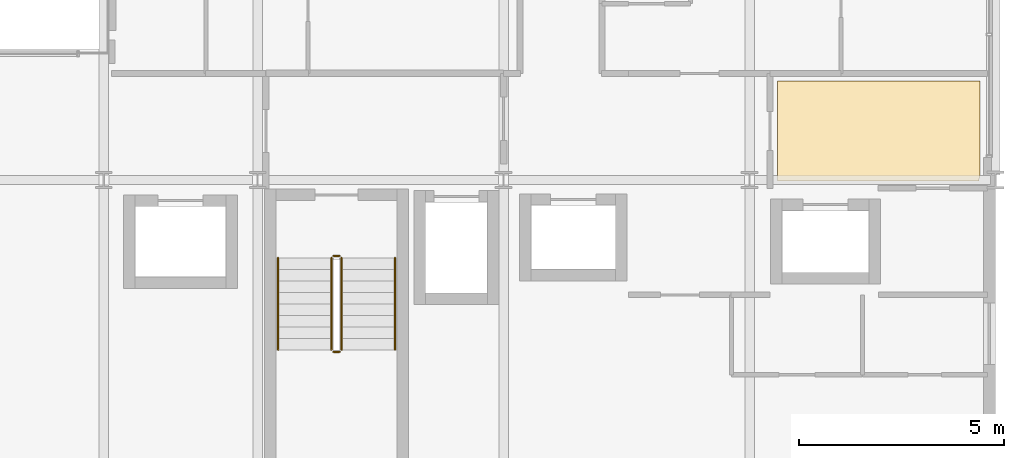
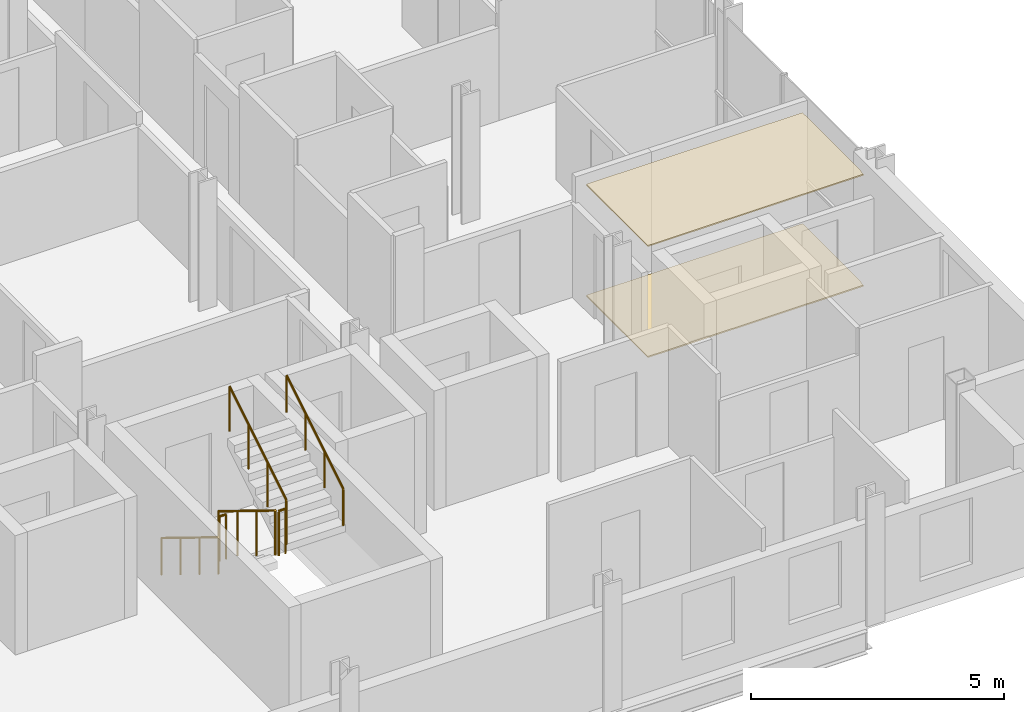
# One storey, part 40 of 41: 6 railings, 2 coverings.
"""IFC4 building model written with IfcOpenShell, lengths in metres."""

from ifc_helpers import new_model, si_unit, direction, frame, origin, origin_2d, place, context, subcontext, project, spatial, polyline, circle, outline, extrude, material, layer, layer_set, type_object, element, save


model = new_model("IFC4")

# Units and contexts
model_context = context("Model", 3, precision=1e-05, world=origin(), true_north=direction((0.0, 1.0)))
body_context = subcontext(model_context, "Body", "Model", "MODEL_VIEW")
ifc_project = project(units=[si_unit("LENGTHUNIT", "METRE"), si_unit("AREAUNIT", "SQUARE_METRE"), si_unit("VOLUMEUNIT", "CUBIC_METRE"), si_unit("PLANEANGLEUNIT", "RADIAN"), si_unit("MASSUNIT", "GRAM", prefix="KILO")], contexts=[model_context])

# Site, building, storey
site_placement = place(None, origin())
site = spatial("IfcSite", under=ifc_project, at=site_placement, CompositionType="ELEMENT")
building_placement = place(site_placement, origin())
building = spatial("IfcBuilding", under=site, at=building_placement, Name="Brevholm Reach", CompositionType="ELEMENT")
storey_placement = place(building_placement, frame((0.0, 0.0, 106.60009765625)))
storey = spatial("IfcBuildingStorey", under=building, at=storey_placement, Name="L31", CompositionType="ELEMENT", Elevation=106.60009765625)

# Coverings
ifc_material_1 = material(Name="Moisture-Resistant Skimmed Gypsum Plasterboard Ceiling", Category="gypsum")
ifc_layer_1 = layer(ifc_material_1, 0.030029296875)
ifc_layer_set_1 = layer_set([ifc_layer_1], Name="Moisture-Resistant Skimmed Gypsum Plasterboard Ceiling")
covering_type_1 = type_object("IfcCoveringType", Name="COV-CLG-GYP", PredefinedType="CEILING", material=ifc_layer_set_1)
covering_1_placement = place(storey_placement, frame((0.0, 0.0, 2.679931640625)))
element("IfcCovering", 1, at=covering_1_placement, inside=storey, type_object=covering_type_1, Name="L31 Suspended Ceiling L31-33", PredefinedType="CEILING", context=body_context, shape_type="SweptSolid", body=[
    extrude(outline(polyline([(59.6201171875, 12.419921875), (59.6201171875, 10.123779296875), (59.6171875, 10.1162109375), (59.607666015625, 10.077880859375), (59.601806640625, 10.039306640625), (59.60009765625, 10.0), (59.60107421875, 9.97998046875), (54.68408203125, 9.97998046875), (54.68408203125, 12.419921875), (59.6201171875, 12.419921875)])), origin(), (0.0, 0.0, 1.0), 0.030029296875),
])
ifc_material_2 = material(Name="Honed Portland-Aggregate Resin Terrazzo Flooring", Category="concrete")
ifc_layer_2 = layer(ifc_material_2, 0.031982421875)
ifc_layer_set_2 = layer_set([ifc_layer_2], Name="Honed Portland-Aggregate Resin Terrazzo Flooring")
covering_type_2 = type_object("IfcCoveringType", Name="COV-FLR-TRZ", PredefinedType="FLOORING", material=ifc_layer_set_2)
covering_2_placement = place(storey_placement, origin())
element("IfcCovering", 2, at=covering_2_placement, inside=storey, type_object=covering_type_2, Name="L31 Floor Finish L31-33", PredefinedType="FLOORING", context=body_context, shape_type="SweptSolid", body=[
    extrude(outline(polyline([(59.6201171875, 12.419921875), (59.6201171875, 10.123779296875), (59.6171875, 10.1162109375), (59.607666015625, 10.077880859375), (59.601806640625, 10.039306640625), (59.60009765625, 10.0), (59.60107421875, 9.97998046875), (54.68408203125, 9.97998046875), (54.68408203125, 12.419921875), (59.6201171875, 12.419921875)])), origin(), (0.0, 0.0, 1.0), 0.031982421875),
])

# Railings
ifc_material_3 = material(Name="Brushed Stainless Steel EN 1.4401 Continuous Handrail", Category="steel")
railing_type_1 = type_object("IfcRailingType", Name="RAL-HND-950", PredefinedType="HANDRAIL", material=ifc_material_3)
railing_1_placement = place(storey_placement, frame((42.5, 8.10009765625, 0.172119140625)))
element("IfcRailing", 3, at=railing_1_placement, inside=storey, type_object=railing_type_1, Name="L31 ST-2 stair handrail 1", PredefinedType="HANDRAIL", context=body_context, shape_type="SweptSolid", body=[
    extrude(circle(Radius=0.02392578125, at=origin_2d()), frame((0.0, 0.0, 0.8857421875), z_axis=(0.0, -0.85178898068, 0.523885037382), x_axis=(1.0, 0.0, 0.0)), (0.0, 0.0, 1.0), 2.629638671875),
    extrude(circle(Radius=0.02099609375, at=origin_2d()), origin(), (0.0, 0.0, 1.0), 0.86181640625),
    extrude(circle(Radius=0.02099609375, at=origin_2d()), frame((0.0, -0.74658203125, 0.459228515625)), (0.0, 0.0, 1.0), 0.86181640625),
    extrude(circle(Radius=0.02099609375, at=origin_2d()), frame((0.0, -1.493408203125, 0.91845703125)), (0.0, 0.0, 1.0), 0.86181640625),
    extrude(circle(Radius=0.02099609375, at=origin_2d()), frame((0.0, -2.239990234375, 1.377685546875)), (0.0, 0.0, 1.0), 0.86181640625),
])
railing_2_placement = place(storey_placement, frame((45.35009765625, 5.860107421875, 1.72216796875)))
element("IfcRailing", 4, at=railing_2_placement, inside=storey, type_object=railing_type_1, Name="L31 ST-2 stair handrail 2", PredefinedType="HANDRAIL", context=body_context, shape_type="SweptSolid", body=[
    extrude(circle(Radius=0.02392578125, at=origin_2d()), frame((0.0, 0.0, 0.8857421875), z_axis=(0.0, 0.85178898068, 0.523885037382), x_axis=(-1.0, 0.0, 0.0)), (0.0, 0.0, 1.0), 2.629638671875),
    extrude(circle(Radius=0.02099609375, at=origin_2d()), origin(), (0.0, 0.0, 1.0), 0.86181640625),
    extrude(circle(Radius=0.02099609375, at=origin_2d()), frame((0.0, 0.74658203125, 0.459228515625)), (0.0, 0.0, 1.0), 0.86181640625),
    extrude(circle(Radius=0.02099609375, at=origin_2d()), frame((0.0, 1.493408203125, 0.91845703125)), (0.0, 0.0, 1.0), 0.86181640625),
    extrude(circle(Radius=0.02099609375, at=origin_2d()), frame((0.0, 2.239990234375, 1.377685546875)), (0.0, 0.0, 1.0), 0.86181640625),
])
ifc_material_4 = material(Name="Painted Tubular Galvanised Steel S275JR Stair Guard", Category="steel")
railing_type_2 = type_object("IfcRailingType", Name="RAL-STG-1120", PredefinedType="BALUSTRADE", material=ifc_material_4)
railing_3_placement = place(storey_placement, frame((43.800048828125, 8.10009765625, 0.172119140625)))
element("IfcRailing", 5, at=railing_3_placement, inside=storey, type_object=railing_type_2, Name="L31 ST-2 stair guard 1", PredefinedType="BALUSTRADE", context=body_context, shape_type="SweptSolid", body=[
    extrude(circle(Radius=0.02392578125, at=origin_2d()), frame((0.0, 0.0, 1.076171875), z_axis=(0.0, -0.85178898068, 0.523885037382), x_axis=(1.0, 0.0, 0.0)), (0.0, 0.0, 1.0), 2.629638671875),
    extrude(circle(Radius=0.02099609375, at=origin_2d()), origin(), (0.0, 0.0, 1.0), 1.052001953125),
    extrude(circle(Radius=0.02099609375, at=origin_2d()), frame((0.0, -0.74658203125, 0.459228515625)), (0.0, 0.0, 1.0), 1.052001953125),
    extrude(circle(Radius=0.02099609375, at=origin_2d()), frame((0.0, -1.493408203125, 0.91845703125)), (0.0, 0.0, 1.0), 1.052001953125),
    extrude(circle(Radius=0.02099609375, at=origin_2d()), frame((0.0, -2.239990234375, 1.377685546875)), (0.0, 0.0, 1.0), 1.052001953125),
])
railing_4_placement = place(storey_placement, frame((43.85009765625, 5.81005859375, 1.5498046875)))
element("IfcRailing", 6, at=railing_4_placement, inside=storey, type_object=railing_type_2, Name="L31 ST-2 stair guard 2", PredefinedType="BALUSTRADE", context=body_context, shape_type="SweptSolid", body=[
    extrude(circle(Radius=0.02392578125, at=origin_2d()), frame((0.0, 0.0, 1.076171875), z_axis=(1.0, 0.0, 0.0), x_axis=(0.0, 1.0, 0.0)), (0.0, 0.0, 1.0), 0.14990234375),
    extrude(circle(Radius=0.02099609375, at=origin_2d()), origin(), (0.0, 0.0, 1.0), 1.052001953125),
    extrude(circle(Radius=0.02099609375, at=origin_2d()), frame((0.14990234375, 0.0, 0.0)), (0.0, 0.0, 1.0), 1.052001953125),
])
railing_5_placement = place(storey_placement, frame((44.050048828125, 5.860107421875, 1.72216796875)))
element("IfcRailing", 7, at=railing_5_placement, inside=storey, type_object=railing_type_2, Name="L31 ST-2 stair guard 3", PredefinedType="BALUSTRADE", context=body_context, shape_type="SweptSolid", body=[
    extrude(circle(Radius=0.02392578125, at=origin_2d()), frame((0.0, 0.0, 1.076171875), z_axis=(0.0, 0.85178898068, 0.523885037382), x_axis=(-1.0, 0.0, 0.0)), (0.0, 0.0, 1.0), 2.629638671875),
    extrude(circle(Radius=0.02099609375, at=origin_2d()), origin(), (0.0, 0.0, 1.0), 1.052001953125),
    extrude(circle(Radius=0.02099609375, at=origin_2d()), frame((0.0, 0.74658203125, 0.459228515625)), (0.0, 0.0, 1.0), 1.052001953125),
    extrude(circle(Radius=0.02099609375, at=origin_2d()), frame((0.0, 1.493408203125, 0.91845703125)), (0.0, 0.0, 1.0), 1.052001953125),
    extrude(circle(Radius=0.02099609375, at=origin_2d()), frame((0.0, 2.239990234375, 1.377685546875)), (0.0, 0.0, 1.0), 1.052001953125),
])
railing_6_placement = place(storey_placement, frame((43.85009765625, 8.14990234375, 0.0)))
element("IfcRailing", 8, at=railing_6_placement, inside=storey, type_object=railing_type_2, Name="L31 ST-2 stair guard 4", PredefinedType="BALUSTRADE", context=body_context, shape_type="SweptSolid", body=[
    extrude(circle(Radius=0.02392578125, at=origin_2d()), frame((0.0, 0.0, 1.076171875), z_axis=(1.0, 0.0, 0.0), x_axis=(0.0, 1.0, 0.0)), (0.0, 0.0, 1.0), 0.14990234375),
    extrude(circle(Radius=0.02099609375, at=origin_2d()), origin(), (0.0, 0.0, 1.0), 1.052001953125),
    extrude(circle(Radius=0.02099609375, at=origin_2d()), frame((0.14990234375, 0.0, 0.0)), (0.0, 0.0, 1.0), 1.052001953125),
])

save(model, "model.ifc")
